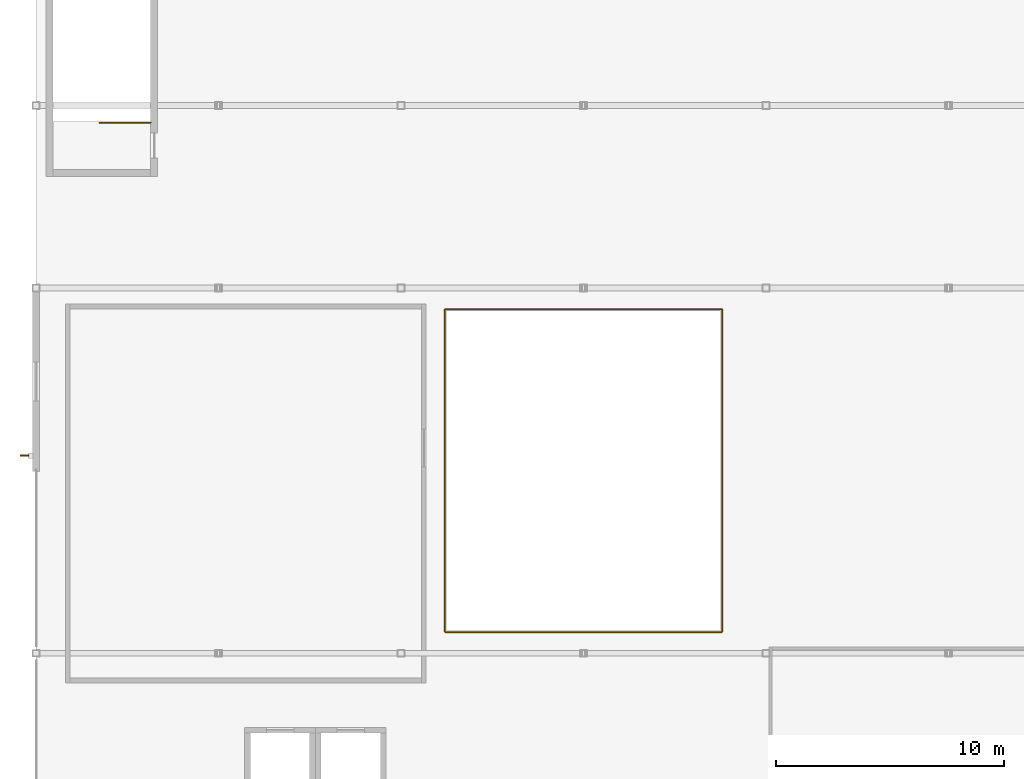
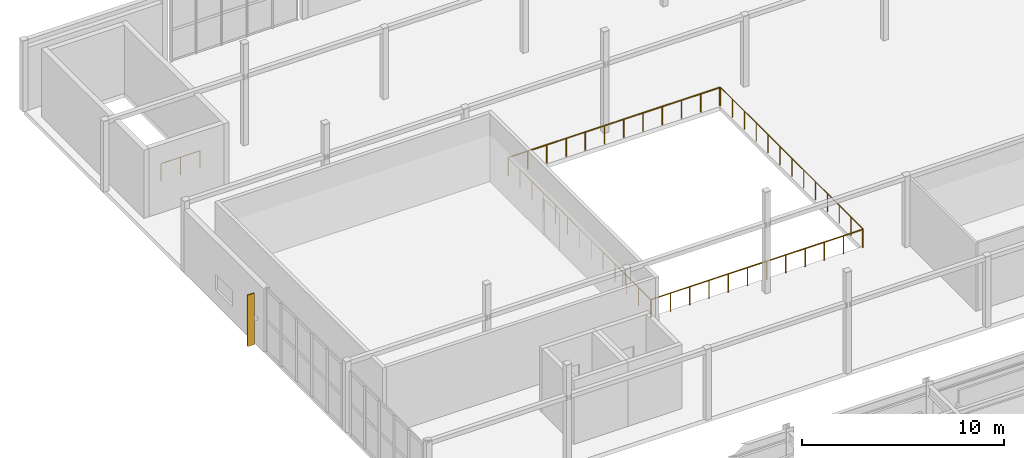
# One storey, part 81 of 83: 5 railings, 1 shading device.
"""IFC4 building model written with IfcOpenShell, lengths in metres."""

from ifc_helpers import new_model, si_unit, direction, frame, origin, origin_2d, place, context, subcontext, project, spatial, rectangle, circle, extrude, material, type_object, element, save


model = new_model("IFC4")

# Units and contexts
model_context = context("Model", 3, precision=1e-05, world=origin(), true_north=direction((0.0, 1.0)))
body_context = subcontext(model_context, "Body", "Model", "MODEL_VIEW")
ifc_project = project(units=[si_unit("LENGTHUNIT", "METRE"), si_unit("AREAUNIT", "SQUARE_METRE"), si_unit("VOLUMEUNIT", "CUBIC_METRE"), si_unit("PLANEANGLEUNIT", "RADIAN"), si_unit("MASSUNIT", "GRAM", prefix="KILO")], contexts=[model_context])

# Site, building, storey
site_placement = place(None, origin())
site = spatial("IfcSite", under=ifc_project, at=site_placement, CompositionType="ELEMENT")
building_placement = place(site_placement, origin())
building = spatial("IfcBuilding", under=site, at=building_placement, Name="Drelvath Fold Interchange", CompositionType="ELEMENT")
storey_placement = place(building_placement, frame((0.0, 0.0, 11.199951171875)))
storey = spatial("IfcBuildingStorey", under=building, at=storey_placement, Name="L02", CompositionType="ELEMENT", Elevation=11.199951171875)

# Railings
ifc_material_1 = material(Name="Stainless Steel 316L", Category="steel")
railing_type_1 = type_object("IfcRailingType", Name="RL-BAL1120", PredefinedType="BALUSTRADE", material=ifc_material_1)
railing_1_placement = place(storey_placement, frame((21.949951171875, 67.919921875, 0.0)))
element("IfcRailing", 1, at=railing_1_placement, inside=storey, type_object=railing_type_1, Name="L02 atrium overlook balustrade 8 (S)", PredefinedType="BALUSTRADE", context=body_context, shape_type="SweptSolid", body=[
    extrude(circle(Radius=0.02392578125, at=origin_2d()), frame((0.0, 0.0, 1.09619140625), z_axis=(1.0, 0.0, 0.0), x_axis=(0.0, 1.0, 0.0)), (0.0, 0.0, 1.0), 12.10009765625),
    extrude(circle(Radius=0.02099609375, at=origin_2d()), origin(), (0.0, 0.0, 1.0), 1.072021484375),
    extrude(circle(Radius=0.02099609375, at=origin_2d()), frame((1.10009765625, 0.0, 0.0)), (0.0, 0.0, 1.0), 1.072021484375),
    extrude(circle(Radius=0.02099609375, at=origin_2d()), frame((2.199951171875, 0.0, 0.0)), (0.0, 0.0, 1.0), 1.072021484375),
    extrude(circle(Radius=0.02099609375, at=origin_2d()), frame((3.300048828125, 0.0, 0.0)), (0.0, 0.0, 1.0), 1.072021484375),
    extrude(circle(Radius=0.02099609375, at=origin_2d()), frame((4.400146484375, 0.0, 0.0)), (0.0, 0.0, 1.0), 1.072021484375),
    extrude(circle(Radius=0.02099609375, at=origin_2d()), frame((5.5, 0.0, 0.0)), (0.0, 0.0, 1.0), 1.072021484375),
    extrude(circle(Radius=0.02099609375, at=origin_2d()), frame((6.60009765625, 0.0, 0.0)), (0.0, 0.0, 1.0), 1.072021484375),
    extrude(circle(Radius=0.02099609375, at=origin_2d()), frame((7.699951171875, 0.0, 0.0)), (0.0, 0.0, 1.0), 1.072021484375),
    extrude(circle(Radius=0.02099609375, at=origin_2d()), frame((8.800048828125, 0.0, 0.0)), (0.0, 0.0, 1.0), 1.072021484375),
    extrude(circle(Radius=0.02099609375, at=origin_2d()), frame((9.900146484375, 0.0, 0.0)), (0.0, 0.0, 1.0), 1.072021484375),
    extrude(circle(Radius=0.02099609375, at=origin_2d()), frame((11.0, 0.0, 0.0)), (0.0, 0.0, 1.0), 1.072021484375),
    extrude(circle(Radius=0.02099609375, at=origin_2d()), frame((12.10009765625, 0.0, 0.0)), (0.0, 0.0, 1.0), 1.072021484375),
])
railing_2_placement = place(storey_placement, frame((34.080078125, 67.949951171875, 0.0)))
element("IfcRailing", 2, at=railing_2_placement, inside=storey, type_object=railing_type_1, Name="L02 atrium overlook balustrade 8 (E)", PredefinedType="BALUSTRADE", context=body_context, shape_type="SweptSolid", body=[
    extrude(circle(Radius=0.02392578125, at=origin_2d()), frame((0.0, 0.0, 1.09619140625), z_axis=(0.0, 1.0, 0.0), x_axis=(-1.0, 0.0, 0.0)), (0.0, 0.0, 1.0), 14.10009765625),
    extrude(circle(Radius=0.02099609375, at=origin_2d()), origin(), (0.0, 0.0, 1.0), 1.072021484375),
    extrude(circle(Radius=0.02099609375, at=origin_2d()), frame((0.0, 1.175048828125, 0.0)), (0.0, 0.0, 1.0), 1.072021484375),
    extrude(circle(Radius=0.02099609375, at=origin_2d()), frame((0.0, 2.35009765625, 0.0)), (0.0, 0.0, 1.0), 1.072021484375),
    extrude(circle(Radius=0.02099609375, at=origin_2d()), frame((0.0, 3.52490234375, 0.0)), (0.0, 0.0, 1.0), 1.072021484375),
    extrude(circle(Radius=0.02099609375, at=origin_2d()), frame((0.0, 4.699951171875, 0.0)), (0.0, 0.0, 1.0), 1.072021484375),
    extrude(circle(Radius=0.02099609375, at=origin_2d()), frame((0.0, 5.875, 0.0)), (0.0, 0.0, 1.0), 1.072021484375),
    extrude(circle(Radius=0.02099609375, at=origin_2d()), frame((0.0, 7.050048828125, 0.0)), (0.0, 0.0, 1.0), 1.072021484375),
    extrude(circle(Radius=0.02099609375, at=origin_2d()), frame((0.0, 8.22509765625, 0.0)), (0.0, 0.0, 1.0), 1.072021484375),
    extrude(circle(Radius=0.02099609375, at=origin_2d()), frame((0.0, 9.400146484375, 0.0)), (0.0, 0.0, 1.0), 1.072021484375),
    extrude(circle(Radius=0.02099609375, at=origin_2d()), frame((0.0, 10.5751953125, 0.0)), (0.0, 0.0, 1.0), 1.072021484375),
    extrude(circle(Radius=0.02099609375, at=origin_2d()), frame((0.0, 11.75, 0.0)), (0.0, 0.0, 1.0), 1.072021484375),
    extrude(circle(Radius=0.02099609375, at=origin_2d()), frame((0.0, 12.925048828125, 0.0)), (0.0, 0.0, 1.0), 1.072021484375),
    extrude(circle(Radius=0.02099609375, at=origin_2d()), frame((0.0, 14.10009765625, 0.0)), (0.0, 0.0, 1.0), 1.072021484375),
])
railing_3_placement = place(storey_placement, frame((34.050048828125, 82.080078125, 0.0)))
element("IfcRailing", 3, at=railing_3_placement, inside=storey, type_object=railing_type_1, Name="L02 atrium overlook balustrade 8 (N)", PredefinedType="BALUSTRADE", context=body_context, shape_type="SweptSolid", body=[
    extrude(circle(Radius=0.02392578125, at=origin_2d()), frame((0.0, 0.0, 1.09619140625), z_axis=(-1.0, 0.0, 0.0), x_axis=(0.0, -1.0, 0.0)), (0.0, 0.0, 1.0), 12.10009765625),
    extrude(circle(Radius=0.02099609375, at=origin_2d()), origin(), (0.0, 0.0, 1.0), 1.072021484375),
    extrude(circle(Radius=0.02099609375, at=origin_2d()), frame((-1.10009765625, 0.0, 0.0)), (0.0, 0.0, 1.0), 1.072021484375),
    extrude(circle(Radius=0.02099609375, at=origin_2d()), frame((-2.199951171875, 0.0, 0.0)), (0.0, 0.0, 1.0), 1.072021484375),
    extrude(circle(Radius=0.02099609375, at=origin_2d()), frame((-3.300048828125, 0.0, 0.0)), (0.0, 0.0, 1.0), 1.072021484375),
    extrude(circle(Radius=0.02099609375, at=origin_2d()), frame((-4.400146484375, 0.0, 0.0)), (0.0, 0.0, 1.0), 1.072021484375),
    extrude(circle(Radius=0.02099609375, at=origin_2d()), frame((-5.5, 0.0, 0.0)), (0.0, 0.0, 1.0), 1.072021484375),
    extrude(circle(Radius=0.02099609375, at=origin_2d()), frame((-6.60009765625, 0.0, 0.0)), (0.0, 0.0, 1.0), 1.072021484375),
    extrude(circle(Radius=0.02099609375, at=origin_2d()), frame((-7.699951171875, 0.0, 0.0)), (0.0, 0.0, 1.0), 1.072021484375),
    extrude(circle(Radius=0.02099609375, at=origin_2d()), frame((-8.800048828125, 0.0, 0.0)), (0.0, 0.0, 1.0), 1.072021484375),
    extrude(circle(Radius=0.02099609375, at=origin_2d()), frame((-9.900146484375, 0.0, 0.0)), (0.0, 0.0, 1.0), 1.072021484375),
    extrude(circle(Radius=0.02099609375, at=origin_2d()), frame((-11.0, 0.0, 0.0)), (0.0, 0.0, 1.0), 1.072021484375),
    extrude(circle(Radius=0.02099609375, at=origin_2d()), frame((-12.10009765625, 0.0, 0.0)), (0.0, 0.0, 1.0), 1.072021484375),
])
railing_4_placement = place(storey_placement, frame((21.919921875, 82.050048828125, 0.0)))
element("IfcRailing", 4, at=railing_4_placement, inside=storey, type_object=railing_type_1, Name="L02 atrium overlook balustrade 8 (W)", PredefinedType="BALUSTRADE", context=body_context, shape_type="SweptSolid", body=[
    extrude(circle(Radius=0.02392578125, at=origin_2d()), frame((0.0, 0.0, 1.09619140625), z_axis=(0.0, -1.0, 0.0), x_axis=(1.0, 0.0, 0.0)), (0.0, 0.0, 1.0), 14.10009765625),
    extrude(circle(Radius=0.02099609375, at=origin_2d()), origin(), (0.0, 0.0, 1.0), 1.072021484375),
    extrude(circle(Radius=0.02099609375, at=origin_2d()), frame((0.0, -1.175048828125, 0.0)), (0.0, 0.0, 1.0), 1.072021484375),
    extrude(circle(Radius=0.02099609375, at=origin_2d()), frame((0.0, -2.35009765625, 0.0)), (0.0, 0.0, 1.0), 1.072021484375),
    extrude(circle(Radius=0.02099609375, at=origin_2d()), frame((0.0, -3.52490234375, 0.0)), (0.0, 0.0, 1.0), 1.072021484375),
    extrude(circle(Radius=0.02099609375, at=origin_2d()), frame((0.0, -4.699951171875, 0.0)), (0.0, 0.0, 1.0), 1.072021484375),
    extrude(circle(Radius=0.02099609375, at=origin_2d()), frame((0.0, -5.875, 0.0)), (0.0, 0.0, 1.0), 1.072021484375),
    extrude(circle(Radius=0.02099609375, at=origin_2d()), frame((0.0, -7.050048828125, 0.0)), (0.0, 0.0, 1.0), 1.072021484375),
    extrude(circle(Radius=0.02099609375, at=origin_2d()), frame((0.0, -8.22509765625, 0.0)), (0.0, 0.0, 1.0), 1.072021484375),
    extrude(circle(Radius=0.02099609375, at=origin_2d()), frame((0.0, -9.400146484375, 0.0)), (0.0, 0.0, 1.0), 1.072021484375),
    extrude(circle(Radius=0.02099609375, at=origin_2d()), frame((0.0, -10.5751953125, 0.0)), (0.0, 0.0, 1.0), 1.072021484375),
    extrude(circle(Radius=0.02099609375, at=origin_2d()), frame((0.0, -11.75, 0.0)), (0.0, 0.0, 1.0), 1.072021484375),
    extrude(circle(Radius=0.02099609375, at=origin_2d()), frame((0.0, -12.925048828125, 0.0)), (0.0, 0.0, 1.0), 1.072021484375),
    extrude(circle(Radius=0.02099609375, at=origin_2d()), frame((0.0, -14.10009765625, 0.0)), (0.0, 0.0, 1.0), 1.072021484375),
])
railing_type_2 = type_object("IfcRailingType", Name="RL-GRD1100", PredefinedType="GUARDRAIL", material=ifc_material_1)
railing_5_placement = place(storey_placement, frame((9.030029296875, 90.25, 0.0)))
element("IfcRailing", 5, at=railing_5_placement, inside=storey, type_object=railing_type_2, Name="L02 ST-05 top well guard 1", PredefinedType="GUARDRAIL", context=body_context, shape_type="SweptSolid", body=[
    extrude(circle(Radius=0.02392578125, at=origin_2d()), frame((0.0, 0.0, 1.076171875), z_axis=(-1.0, 0.0, 0.0), x_axis=(0.0, -1.0, 0.0)), (0.0, 0.0, 1.0), 2.239990234375),
    extrude(circle(Radius=0.02099609375, at=origin_2d()), origin(), (0.0, 0.0, 1.0), 1.052001953125),
    extrude(circle(Radius=0.02099609375, at=origin_2d()), frame((-1.1201171875, 0.0, 0.0)), (0.0, 0.0, 1.0), 1.052001953125),
    extrude(circle(Radius=0.02099609375, at=origin_2d()), frame((-2.239990234375, 0.0, 0.0)), (0.0, 0.0, 1.0), 1.052001953125),
])

# Shading device
ifc_material_2 = material(Name="Anodized Aluminium 6063-T6", Category="aluminium")
shading_device_type = type_object("IfcShadingDeviceType", Name="SD-FIN380", PredefinedType="JALOUSIE", material=ifc_material_2)
shading_device_placement = place(storey_placement, frame((3.492919921875, 75.655029296875, 0.10009765625), z_axis=(0.0, 0.0, 1.0), x_axis=(1.0, 0.0, 0.0)))
element("IfcShadingDevice", 6, at=shading_device_placement, inside=storey, type_object=shading_device_type, Name="Vertical aluminium solar fin 4", PredefinedType="JALOUSIE", context=body_context, shape_type="SweptSolid", body=[
    extrude(rectangle(XDim=0.3798828125, YDim=0.06494140625, at=origin_2d()), origin(), (0.0, 0.0, 1.0), 3.10009765625),
])

save(model, "model.ifc")
